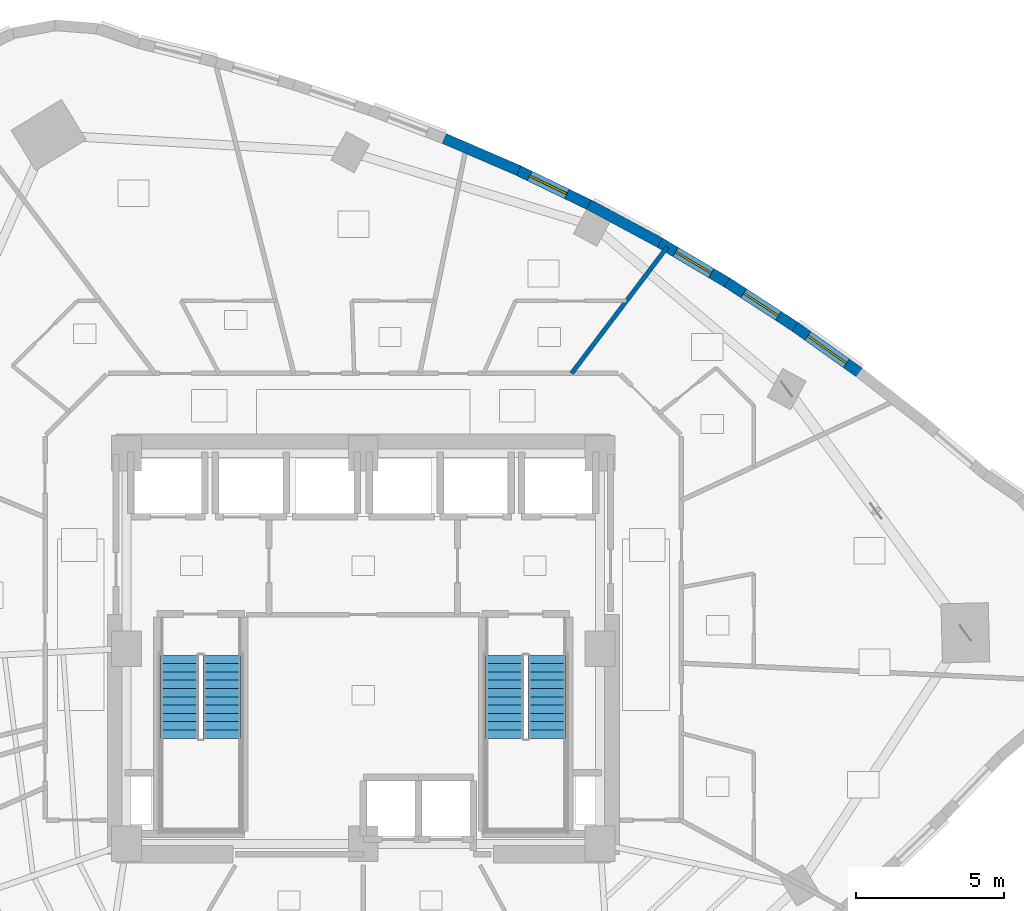
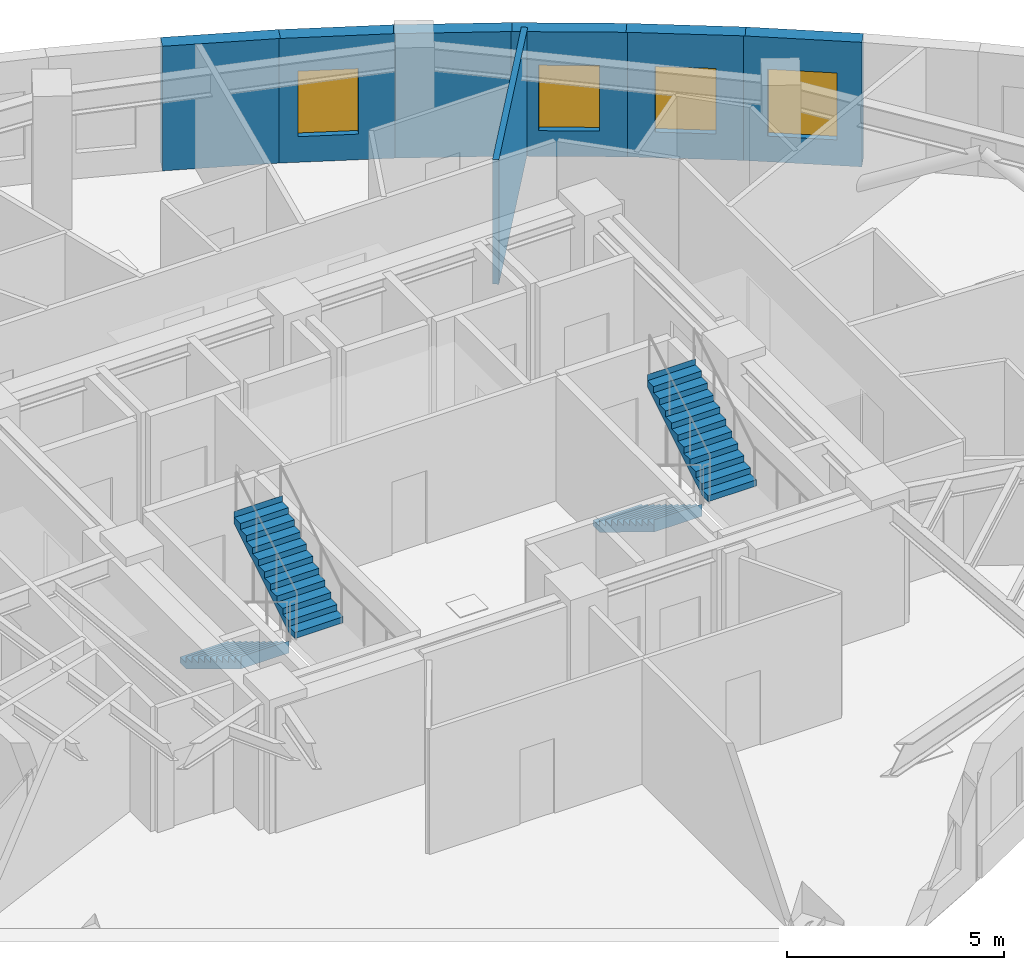
# One storey, part 10 of 13: 7 walls, 4 stair flights, 4 windows, 4 openings, 2 elements without a shape of their own.
"""IFC4 building model written with IfcOpenShell, lengths in metres."""

from ifc_helpers import new_model, si_unit, direction, frame, frame_2d, origin, place, context, subcontext, project, spatial, polyline, rectangle, outline, extrude, material, layer, layer_set, type_object, element, fill, aggregate, save


model = new_model("IFC4")

# Units and contexts
model_context = context("Model", 3, precision=1e-05, world=origin(), true_north=direction((0.0, 1.0)))
body_context = subcontext(model_context, "Body", "Model", "MODEL_VIEW")
ifc_project = project(units=[si_unit("LENGTHUNIT", "METRE"), si_unit("AREAUNIT", "SQUARE_METRE"), si_unit("VOLUMEUNIT", "CUBIC_METRE"), si_unit("PLANEANGLEUNIT", "RADIAN"), si_unit("MASSUNIT", "GRAM", prefix="KILO")], contexts=[model_context])

# Site, building, storey
site_placement = place(None, origin())
site = spatial("IfcSite", under=ifc_project, at=site_placement, CompositionType="ELEMENT")
building_placement = place(site_placement, origin())
building = spatial("IfcBuilding", under=site, at=building_placement, Name="Ndelora Gate Hotel", CompositionType="ELEMENT")
storey_placement = place(building_placement, frame((0.0, 0.0, 134.75)))
storey = spatial("IfcBuildingStorey", under=building, at=storey_placement, Name="L33", CompositionType="ELEMENT", Elevation=134.75)

# Wall, opening, window
ifc_material_1 = material(Name="Clay Brick Masonry", Category="masonry")
ifc_layer_1 = layer(ifc_material_1, 0.360107421875)
ifc_layer_set_1 = layer_set([ifc_layer_1], Name="Clay Brick Masonry")
wall_type_1 = type_object("IfcWallType", Name="WL-BRICK-360", PredefinedType="SOLIDWALL", material=ifc_layer_set_1)
wall_1_placement = place(storey_placement, frame((14.548583984375, 10.905029296875, 0.0), z_axis=(0.0, 0.0, 1.0), x_axis=(0.814510150839, -0.580149303352, 0.0)))
wall_1 = element("IfcWall", 1, at=wall_1_placement, inside=storey, type_object=wall_type_1, Name="L33 Tower Brick Pier-and-Spandrel Wall TWR-49", PredefinedType="SOLIDWALL", context=body_context, shape_type="SweptSolid", body=[
    extrude(rectangle(XDim=2.758544921875, YDim=0.360107421875, at=frame_2d((1.37939453125, 0.0))), origin(), (0.0, 0.0, 1.0), 3.5),
])
opening_1_placement = place(wall_1_placement, frame((0.5791015625, 0.0, 0.719970703125)))
opening_1 = element("IfcOpeningElement", 2, at=opening_1_placement, cuts=wall_1, Name="Opening W03", PredefinedType="OPENING", context=body_context, shape_type="SweptSolid", body=[
    extrude(rectangle(XDim=1.60009765625, YDim=1.8798828125, at=frame_2d((0.800048828125, 0.93994140625))), frame((0.0, 0.18994140625, 0.0), z_axis=(0.0, -1.0, 0.0), x_axis=(1.0, 0.0, 0.0)), (0.0, 0.0, 1.0), 0.380126953125),
])
ifc_material_2 = material(Name="Insulated Low-E Double Glazing in Bronze Aluminium Frame", Category="aluminium")
window_type_1 = type_object("IfcWindowType", Name="WN-CORN-2100", PartitioningType="SINGLE_PANEL", PredefinedType="WINDOW", material=ifc_material_2)
window_1_placement = place(opening_1_placement, origin())
window_1 = element("IfcWindow", 3, at=window_1_placement, inside=storey, type_object=window_type_1, Name="L33 Deep-Set Brick-Pier Window W03", OverallHeight=1.8798828125, OverallWidth=1.60009765625, PartitioningType="SINGLE_PANEL", PredefinedType="WINDOW", context=body_context, shape_type="SweptSolid", body=[
    extrude(rectangle(XDim=1.60009765625, YDim=1.8798828125, at=frame_2d((0.800048828125, 0.93994140625))), frame((0.0, 0.030029296875, 0.0), z_axis=(0.0, -1.0, 0.0), x_axis=(1.0, 0.0, 0.0)), (0.0, 0.0, 1.0), 0.06005859375),
])
fill(opening_1, window_1)

wall_2_placement = place(storey_placement, frame((12.290283203125, 12.3740234375, 0.0), z_axis=(0.0, 0.0, 1.0), x_axis=(0.838077548848, -0.545551117785, 0.0)))
wall_2 = element("IfcWall", 4, at=wall_2_placement, inside=storey, type_object=wall_type_1, Name="L33 Tower Brick Pier-and-Spandrel Wall TWR-50", PredefinedType="SOLIDWALL", context=body_context, shape_type="SweptSolid", body=[
    extrude(rectangle(XDim=2.744140625, YDim=0.360107421875, at=frame_2d((1.3720703125, 0.0))), origin(), (0.0, 0.0, 1.0), 3.5),
])
opening_2_placement = place(wall_2_placement, frame((0.672119140625, 0.0, 0.719970703125)))
opening_2 = element("IfcOpeningElement", 5, at=opening_2_placement, cuts=wall_2, Name="Opening W02", PredefinedType="OPENING", context=body_context, shape_type="SweptSolid", body=[
    extrude(rectangle(XDim=1.39990234375, YDim=1.840087890625, at=frame_2d((0.699951171875, 0.919921875))), frame((0.0, 0.18994140625, 0.0), z_axis=(0.0, -1.0, 0.0), x_axis=(1.0, 0.0, 0.0)), (0.0, 0.0, 1.0), 0.380126953125),
])
window_type_2 = type_object("IfcWindowType", Name="WN-DEEP-1400", PartitioningType="SINGLE_PANEL", PredefinedType="WINDOW", material=ifc_material_2)
window_2_placement = place(opening_2_placement, origin())
window_2 = element("IfcWindow", 6, at=window_2_placement, inside=storey, type_object=window_type_2, Name="L33 Deep-Set Brick-Pier Window W02", OverallHeight=1.840087890625, OverallWidth=1.39990234375, PartitioningType="SINGLE_PANEL", PredefinedType="WINDOW", context=body_context, shape_type="SweptSolid", body=[
    extrude(rectangle(XDim=1.39990234375, YDim=1.840087890625, at=frame_2d((0.699951171875, 0.919921875))), frame((0.0, 0.030029296875, 0.0), z_axis=(0.0, -1.0, 0.0), x_axis=(1.0, 0.0, 0.0)), (0.0, 0.0, 1.0), 0.06005859375),
])
fill(opening_2, window_2)

wall_3_placement = place(storey_placement, frame((9.980224609375, 13.741455078125, 0.0), z_axis=(0.0, 0.0, 1.0), x_axis=(0.860339389624, -0.509721624675, 0.0)))
wall_3 = element("IfcWall", 7, at=wall_3_placement, inside=storey, type_object=wall_type_1, Name="L33 Tower Brick Pier-and-Spandrel Wall TWR-51", PredefinedType="SOLIDWALL", context=body_context, shape_type="SweptSolid", body=[
    extrude(rectangle(XDim=2.734375, YDim=0.360107421875, at=frame_2d((1.3671875, 0.0))), origin(), (0.0, 0.0, 1.0), 3.5),
])
opening_3_placement = place(wall_3_placement, frame((0.667236328125, 0.0, 0.719970703125)))
opening_3 = element("IfcOpeningElement", 8, at=opening_3_placement, cuts=wall_3, Name="Opening W02", PredefinedType="OPENING", context=body_context, shape_type="SweptSolid", body=[
    extrude(rectangle(XDim=1.39990234375, YDim=1.840087890625, at=frame_2d((0.699951171875, 0.919921875))), frame((0.0, 0.18994140625, 0.0), z_axis=(0.0, -1.0, 0.0), x_axis=(1.0, 0.0, 0.0)), (0.0, 0.0, 1.0), 0.380126953125),
])
window_3_placement = place(opening_3_placement, origin())
window_3 = element("IfcWindow", 9, at=window_3_placement, inside=storey, type_object=window_type_2, Name="L33 Deep-Set Brick-Pier Window W02", OverallHeight=1.840087890625, OverallWidth=1.39990234375, PartitioningType="SINGLE_PANEL", PredefinedType="WINDOW", context=body_context, shape_type="SweptSolid", body=[
    extrude(rectangle(XDim=1.39990234375, YDim=1.840087890625, at=frame_2d((0.699951171875, 0.919921875))), frame((0.0, 0.030029296875, 0.0), z_axis=(0.0, -1.0, 0.0), x_axis=(1.0, 0.0, 0.0)), (0.0, 0.0, 1.0), 0.06005859375),
])
fill(opening_3, window_3)

# Wall
wall_4_placement = place(storey_placement, frame((7.61865234375, 15.007568359375, 0.0), z_axis=(0.0, 0.0, 1.0), x_axis=(0.881156632258, -0.472824480572, 0.0)))
element("IfcWall", 10, at=wall_4_placement, inside=storey, type_object=wall_type_1, Name="L33 Tower Brick Pier-and-Spandrel Wall TWR-52", PredefinedType="SOLIDWALL", context=body_context, shape_type="SweptSolid", body=[
    extrude(rectangle(XDim=2.7294921875, YDim=0.360107421875, at=frame_2d((1.36474609375, 0.0))), origin(), (0.0, 0.0, 1.0), 3.5),
])

# Wall, opening, window
wall_5_placement = place(storey_placement, frame((5.205322265625, 16.172119140625, 0.0), z_axis=(0.0, 0.0, 1.0), x_axis=(0.900444136685, -0.434971673458, 0.0)))
wall_5 = element("IfcWall", 11, at=wall_5_placement, inside=storey, type_object=wall_type_1, Name="L33 Tower Brick Pier-and-Spandrel Wall TWR-53", PredefinedType="SOLIDWALL", context=body_context, shape_type="SweptSolid", body=[
    extrude(rectangle(XDim=2.7294921875, YDim=0.360107421875, at=frame_2d((1.36474609375, 0.0))), origin(), (0.0, 0.0, 1.0), 3.5),
])
opening_4_placement = place(wall_5_placement, frame((0.4599609375, 0.0, 0.719970703125)))
opening_4 = element("IfcOpeningElement", 12, at=opening_4_placement, cuts=wall_5, Name="Opening W02", PredefinedType="OPENING", context=body_context, shape_type="SweptSolid", body=[
    extrude(rectangle(XDim=1.39990234375, YDim=1.840087890625, at=frame_2d((0.699951171875, 0.919921875))), frame((0.0, 0.18994140625, 0.0), z_axis=(0.0, -1.0, 0.0), x_axis=(1.0, 0.0, 0.0)), (0.0, 0.0, 1.0), 0.380126953125),
])
window_4_placement = place(opening_4_placement, origin())
window_4 = element("IfcWindow", 13, at=window_4_placement, inside=storey, type_object=window_type_2, Name="L33 Deep-Set Brick-Pier Window W02", OverallHeight=1.840087890625, OverallWidth=1.39990234375, PartitioningType="SINGLE_PANEL", PredefinedType="WINDOW", context=body_context, shape_type="SweptSolid", body=[
    extrude(rectangle(XDim=1.39990234375, YDim=1.840087890625, at=frame_2d((0.699951171875, 0.919921875))), frame((0.0, 0.030029296875, 0.0), z_axis=(0.0, -1.0, 0.0), x_axis=(1.0, 0.0, 0.0)), (0.0, 0.0, 1.0), 0.06005859375),
])
fill(opening_4, window_4)

# Walls
wall_6_placement = place(storey_placement, frame((2.740478515625, 17.235107421875, 0.0), z_axis=(0.0, 0.0, 1.0), x_axis=(0.918107397743, -0.396331687113, 0.0)))
element("IfcWall", 14, at=wall_6_placement, inside=storey, type_object=wall_type_1, Name="L33 Tower Brick Pier-and-Spandrel Wall TWR-54", PredefinedType="SOLIDWALL", context=body_context, shape_type="SweptSolid", body=[
    extrude(rectangle(XDim=2.734375, YDim=0.360107421875, at=frame_2d((1.3671875, 0.0))), origin(), (0.0, 0.0, 1.0), 3.5),
])
ifc_material_3 = material(Name="Fire-Rated Gypsum Stud Partition", Category="gypsum")
ifc_layer_2 = layer(ifc_material_3, 0.14990234375)
ifc_layer_set_2 = layer_set([ifc_layer_2], Name="Fire-Rated Gypsum Stud Partition")
wall_type_2 = type_object("IfcWallType", Name="WL-PART-150", PredefinedType="PARTITIONING", material=ifc_layer_set_2)
wall_7_placement = place(storey_placement, frame((7.040283203125, 9.300048828125, 0.0), z_axis=(0.0, 0.0, 1.0), x_axis=(0.603561778398, 0.797316235667, 0.0)))
element("IfcWall", 15, at=wall_7_placement, inside=storey, type_object=wall_type_2, Name="L33 Interior Wall IW-5", PredefinedType="PARTITIONING", context=body_context, shape_type="SweptSolid", body=[
    extrude(rectangle(XDim=5.35400390625, YDim=0.14990234375, at=frame_2d((2.677001953125, 0.0))), origin(), (0.0, 0.0, 1.0), 3.5),
])

# Stair, stair flights
ifc_material_4 = material(Name="Precast concrete C40/50", Category="concrete")
stair_type = type_object("IfcStairType", Name="STR-DOG-CORE", PredefinedType="HALF_TURN_STAIR", material=ifc_material_4)
stair_1_placement = place(storey_placement, origin())
stair_1 = element("IfcStair", 16, at=stair_1_placement, inside=storey, type_object=stair_type, Name="L33 Protected Core Exit Stair ST4", PredefinedType="HALF_TURN_STAIR")
stair_flight_type = type_object("IfcStairFlightType", Name="STF-PRECAST", PredefinedType="STRAIGHT", material=ifc_material_4)
stair_flight_1_placement = place(storey_placement, frame((-6.2099609375, -0.22998046875, 0.0), z_axis=(0.0, 0.0, 1.0), x_axis=(0.0, -1.0, 0.0)))
stair_flight_1 = element("IfcStairFlight", 17, at=stair_flight_1_placement, type_object=stair_flight_type, Name="ST4 flight 1", NumberOfRisers=11, NumberOfTreads=10, PredefinedType="STRAIGHT", RiserHeight=0.170454545, TreadLength=0.28, context=body_context, shape_type="SweptSolid", body=[
    extrude(outline(polyline([(-0.00048828125, 0.0), (-0.00048828125, 0.17041015625), (0.0, 0.17041015625), (0.280029296875, 0.17041015625), (0.280029296875, 0.3408203125), (0.56005859375, 0.3408203125), (0.56005859375, 0.511474609375), (0.840087890625, 0.511474609375), (0.840087890625, 0.681884765625), (1.1201171875, 0.681884765625), (1.1201171875, 0.852294921875), (1.39990234375, 0.852294921875), (1.39990234375, 1.022705078125), (1.679931640625, 1.022705078125), (1.679931640625, 1.193115234375), (1.9599609375, 1.193115234375), (1.9599609375, 1.363525390625), (2.239990234375, 1.363525390625), (2.239990234375, 1.5341796875), (2.52001953125, 1.5341796875), (2.52001953125, 1.70458984375), (2.800048828125, 1.70458984375), (2.800048828125, 1.875), (2.800537109375, 1.875), (2.800537109375, 1.695068359375), (2.800048828125, 1.529052734375), (0.288330078125, 0.0), (-0.00048828125, 0.0)])), frame((0.0, 0.64013671875, 0.0), z_axis=(0.0, -1.0, 0.0), x_axis=(1.0, 0.0, 0.0)), (0.0, 0.0, 1.0), 1.280029296875),
])
stair_flight_2_placement = place(storey_placement, frame((-4.77001953125, -3.030029296875, 1.875), z_axis=(0.0, 0.0, 1.0), x_axis=(0.0, 1.0, 0.0)))
stair_flight_2 = element("IfcStairFlight", 18, at=stair_flight_2_placement, type_object=stair_flight_type, Name="ST4 flight 2", NumberOfRisers=11, NumberOfTreads=10, PredefinedType="STRAIGHT", RiserHeight=0.170454545, TreadLength=0.28, context=body_context, shape_type="SweptSolid", body=[
    extrude(outline(polyline([(-0.00048828125, 0.0), (-0.00048828125, 0.17041015625), (0.0, 0.17041015625), (0.280029296875, 0.17041015625), (0.280029296875, 0.3408203125), (0.56005859375, 0.3408203125), (0.56005859375, 0.511474609375), (0.840087890625, 0.511474609375), (0.840087890625, 0.681884765625), (1.1201171875, 0.681884765625), (1.1201171875, 0.852294921875), (1.39990234375, 0.852294921875), (1.39990234375, 1.022705078125), (1.679931640625, 1.022705078125), (1.679931640625, 1.193115234375), (1.9599609375, 1.193115234375), (1.9599609375, 1.363525390625), (2.239990234375, 1.363525390625), (2.239990234375, 1.5341796875), (2.52001953125, 1.5341796875), (2.52001953125, 1.70458984375), (2.800048828125, 1.70458984375), (2.800048828125, 1.875), (2.800537109375, 1.875), (2.800537109375, 1.695068359375), (2.800048828125, 1.529052734375), (0.288330078125, 0.0), (-0.00048828125, 0.0)])), frame((0.0, 0.64013671875, 0.0), z_axis=(0.0, -1.0, 0.0), x_axis=(1.0, 0.0, 0.0)), (0.0, 0.0, 1.0), 1.280029296875),
])
aggregate(stair_1, [stair_flight_1, stair_flight_2])

stair_2_placement = place(storey_placement, origin())
stair_2 = element("IfcStair", 19, at=stair_2_placement, inside=storey, type_object=stair_type, Name="L33 Protected Core Exit Stair ST5", PredefinedType="HALF_TURN_STAIR")
stair_flight_3_placement = place(storey_placement, frame((4.77001953125, -0.22998046875, 0.0), z_axis=(0.0, 0.0, 1.0), x_axis=(0.0, -1.0, 0.0)))
stair_flight_3 = element("IfcStairFlight", 20, at=stair_flight_3_placement, type_object=stair_flight_type, Name="ST5 flight 1", NumberOfRisers=11, NumberOfTreads=10, PredefinedType="STRAIGHT", RiserHeight=0.170454545, TreadLength=0.28, context=body_context, shape_type="SweptSolid", body=[
    extrude(outline(polyline([(-0.00048828125, 0.0), (-0.00048828125, 0.17041015625), (0.0, 0.17041015625), (0.280029296875, 0.17041015625), (0.280029296875, 0.3408203125), (0.56005859375, 0.3408203125), (0.56005859375, 0.511474609375), (0.840087890625, 0.511474609375), (0.840087890625, 0.681884765625), (1.1201171875, 0.681884765625), (1.1201171875, 0.852294921875), (1.39990234375, 0.852294921875), (1.39990234375, 1.022705078125), (1.679931640625, 1.022705078125), (1.679931640625, 1.193115234375), (1.9599609375, 1.193115234375), (1.9599609375, 1.363525390625), (2.239990234375, 1.363525390625), (2.239990234375, 1.5341796875), (2.52001953125, 1.5341796875), (2.52001953125, 1.70458984375), (2.800048828125, 1.70458984375), (2.800048828125, 1.875), (2.800537109375, 1.875), (2.800537109375, 1.695068359375), (2.800048828125, 1.529052734375), (0.288330078125, 0.0), (-0.00048828125, 0.0)])), frame((0.0, 0.64013671875, 0.0), z_axis=(0.0, -1.0, 0.0), x_axis=(1.0, 0.0, 0.0)), (0.0, 0.0, 1.0), 1.280029296875),
])
stair_flight_4_placement = place(storey_placement, frame((6.2099609375, -3.030029296875, 1.875), z_axis=(0.0, 0.0, 1.0), x_axis=(0.0, 1.0, 0.0)))
stair_flight_4 = element("IfcStairFlight", 21, at=stair_flight_4_placement, type_object=stair_flight_type, Name="ST5 flight 2", NumberOfRisers=11, NumberOfTreads=10, PredefinedType="STRAIGHT", RiserHeight=0.170454545, TreadLength=0.28, context=body_context, shape_type="SweptSolid", body=[
    extrude(outline(polyline([(-0.00048828125, 0.0), (-0.00048828125, 0.17041015625), (0.0, 0.17041015625), (0.280029296875, 0.17041015625), (0.280029296875, 0.3408203125), (0.56005859375, 0.3408203125), (0.56005859375, 0.511474609375), (0.840087890625, 0.511474609375), (0.840087890625, 0.681884765625), (1.1201171875, 0.681884765625), (1.1201171875, 0.852294921875), (1.39990234375, 0.852294921875), (1.39990234375, 1.022705078125), (1.679931640625, 1.022705078125), (1.679931640625, 1.193115234375), (1.9599609375, 1.193115234375), (1.9599609375, 1.363525390625), (2.239990234375, 1.363525390625), (2.239990234375, 1.5341796875), (2.52001953125, 1.5341796875), (2.52001953125, 1.70458984375), (2.800048828125, 1.70458984375), (2.800048828125, 1.875), (2.800537109375, 1.875), (2.800537109375, 1.695068359375), (2.800048828125, 1.529052734375), (0.288330078125, 0.0), (-0.00048828125, 0.0)])), frame((0.0, 0.64013671875, 0.0), z_axis=(0.0, -1.0, 0.0), x_axis=(1.0, 0.0, 0.0)), (0.0, 0.0, 1.0), 1.280029296875),
])
aggregate(stair_2, [stair_flight_3, stair_flight_4])

save(model, "model.ifc")
